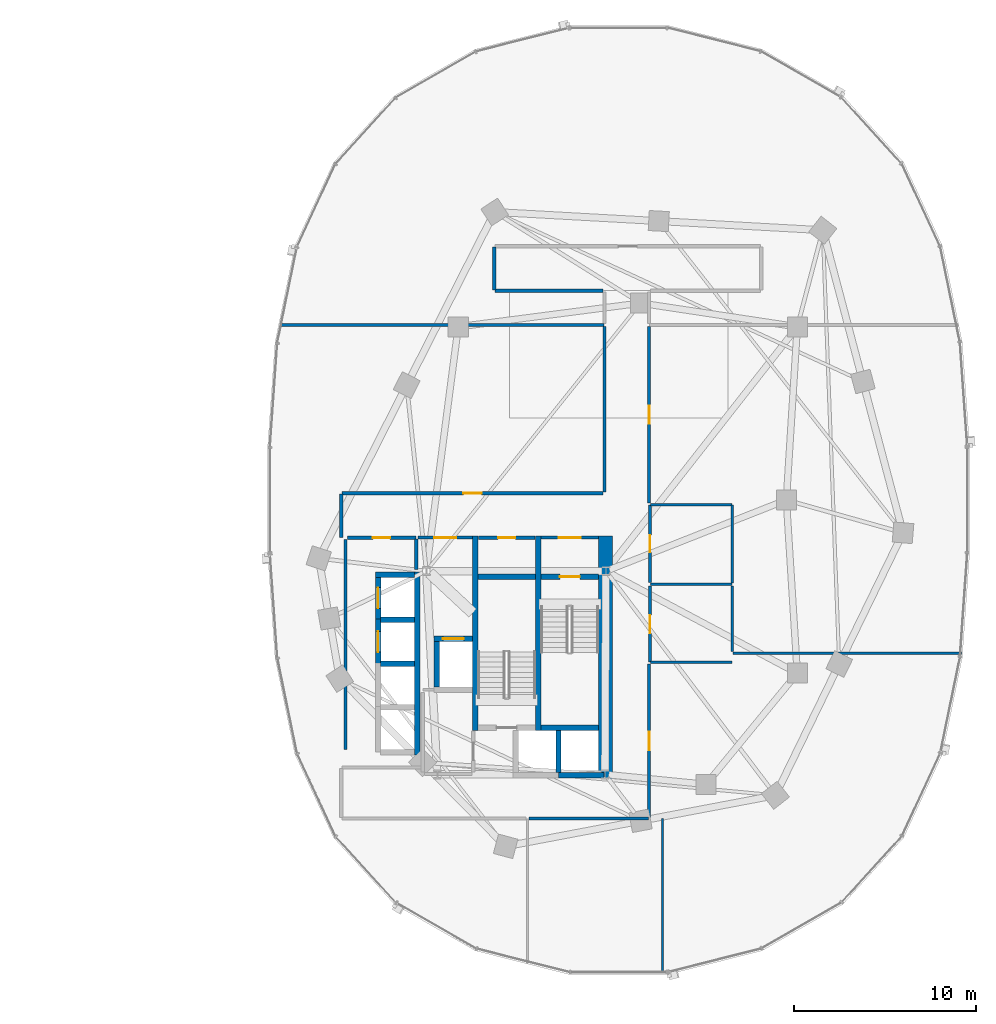
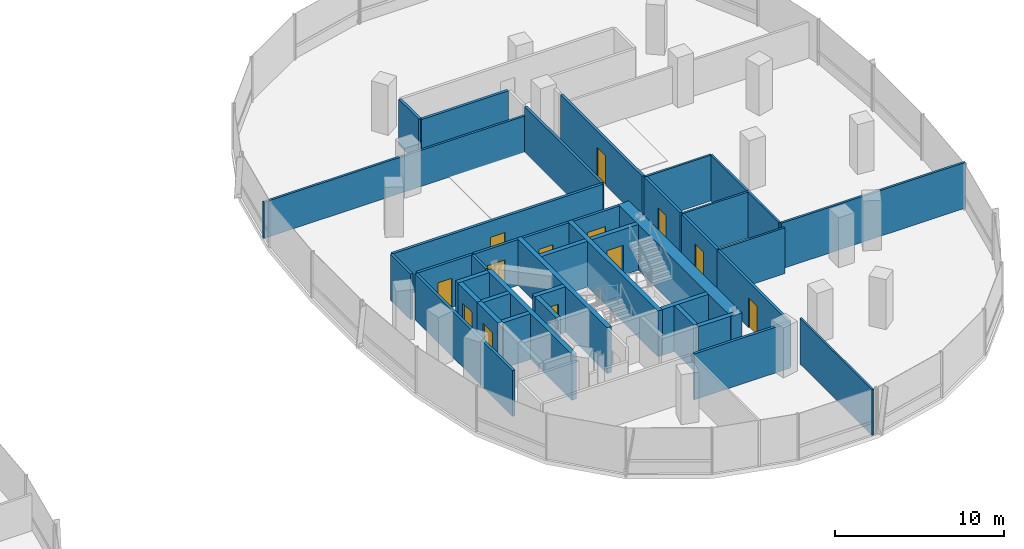
# One storey, part 13 of 21: 40 walls, 13 doors, 13 openings.
"""IFC4 building model written with IfcOpenShell, lengths in metres."""

from ifc_helpers import new_model, si_unit, direction, frame, frame_2d, origin, place, context, subcontext, project, spatial, rectangle, extrude, material, layer, layer_set, type_object, element, fill, save


model = new_model("IFC4")

# Units and contexts
model_context = context("Model", 3, precision=1e-05, world=origin(), true_north=direction((0.0, 1.0)))
body_context = subcontext(model_context, "Body", "Model", "MODEL_VIEW")
ifc_project = project(units=[si_unit("LENGTHUNIT", "METRE"), si_unit("AREAUNIT", "SQUARE_METRE"), si_unit("VOLUMEUNIT", "CUBIC_METRE"), si_unit("PLANEANGLEUNIT", "RADIAN"), si_unit("MASSUNIT", "GRAM", prefix="KILO"), si_unit("THERMODYNAMICTEMPERATUREUNIT", "KELVIN"), si_unit("POWERUNIT", "WATT")], contexts=[model_context])

# Site, building, storey
site_placement = place(None, origin())
site = spatial("IfcSite", under=ifc_project, at=site_placement, CompositionType="ELEMENT")
building_placement = place(site_placement, origin())
building = spatial("IfcBuilding", under=site, at=building_placement, Name="Cundina Bronze Exchange", CompositionType="ELEMENT")
storey_placement = place(building_placement, frame((0.0, 0.0, 103.39990234375)))
storey = spatial("IfcBuildingStorey", under=building, at=storey_placement, Name="L26", CompositionType="ELEMENT", Elevation=103.39990234375)

# Wall
ifc_material_1 = material(Name="Gypsum Fireboard Partition EI120")
ifc_layer_1 = layer(ifc_material_1, 0.179931640625, Name="Gypsum Fireboard Partition EI120")
ifc_layer_set_1 = layer_set([ifc_layer_1], Name="Gypsum Fireboard Partition EI120")
wall_type_1 = type_object("IfcWallType", Name="WL-COR-180", PredefinedType="PARTITIONING", material=ifc_layer_set_1)
wall_1_placement = place(storey_placement, frame((20.889892578125, -3.800048828125, 0.0), z_axis=(0.0, 0.0, 1.0), x_axis=(0.0, 1.0, 0.0)))
element("IfcWall", 1, at=wall_1_placement, inside=storey, type_object=wall_type_1, Name="L26 E Firefighting Lobby Side Wall", PredefinedType="PARTITIONING", context=body_context, shape_type="SweptSolid", body=[
    extrude(rectangle(XDim=1.650146484375, YDim=0.179931640625, at=frame_2d((0.8251953125, 0.0))), origin(), (0.0, 0.0, 1.0), 3.300048828125),
])

# Wall, opening, door
wall_2_placement = place(storey_placement, frame((20.97998046875, -2.06005859375, 0.0), z_axis=(0.0, 0.0, 1.0), x_axis=(1.0, 0.0, 0.0)))
wall_2 = element("IfcWall", 2, at=wall_2_placement, inside=storey, type_object=wall_type_1, Name="L26 E Firefighting Lobby Exit Wall", PredefinedType="PARTITIONING", context=body_context, shape_type="SweptSolid", body=[
    extrude(rectangle(XDim=3.0, YDim=0.179931640625, at=frame_2d((1.5, 0.0))), origin(), (0.0, 0.0, 1.0), 3.300048828125),
])
opening_1_placement = place(wall_2_placement, frame((0.89990234375, 0.0, 0.0)))
opening_1 = element("IfcOpeningElement", 3, at=opening_1_placement, cuts=wall_2, Name="Opening DF-01", PredefinedType="OPENING", context=body_context, shape_type="SweptSolid", body=[
    extrude(rectangle(XDim=1.199951171875, YDim=2.14990234375, at=frame_2d((0.60009765625, 1.074951171875))), frame((0.0, 0.099853515625, 0.0), z_axis=(0.0, -1.0, 0.0), x_axis=(1.0, 0.0, 0.0)), (0.0, 0.0, 1.0), 0.199951171875),
])
ifc_material_2 = material(Name="Steel ASTM A36 Painted", Category="steel")
door_type_1 = type_object("IfcDoorType", Name="DR-FFL-1200", OperationType="NOTDEFINED", PredefinedType="DOOR", material=ifc_material_2)
door_1_placement = place(opening_1_placement, origin())
door_1 = element("IfcDoor", 4, at=door_1_placement, inside=storey, type_object=door_type_1, Name="L26 E Firefighting Lobby Door", OperationType="SINGLE_SWING_LEFT", OverallHeight=2.14990234375, OverallWidth=1.199951171875, PredefinedType="DOOR", context=body_context, shape_type="SweptSolid", body=[
    extrude(rectangle(XDim=1.199951171875, YDim=2.14990234375, at=frame_2d((0.60009765625, 1.074951171875))), frame((0.0, 0.02490234375, 0.0), z_axis=(0.0, -1.0, 0.0), x_axis=(1.0, 0.0, 0.0)), (0.0, 0.0, 1.0), 0.050048828125),
])
fill(opening_1, door_1)

wall_3_placement = place(storey_placement, frame((27.739990234375, -2.06005859375, 0.0), z_axis=(0.0, 0.0, 1.0), x_axis=(1.0, 0.0, 0.0)))
wall_3 = element("IfcWall", 5, at=wall_3_placement, inside=storey, type_object=wall_type_1, Name="L26 E Stair Vestibule Exit Wall", PredefinedType="PARTITIONING", context=body_context, shape_type="SweptSolid", body=[
    extrude(rectangle(XDim=3.159912109375, YDim=0.179931640625, at=frame_2d((1.580078125, 0.0))), origin(), (0.0, 0.0, 1.0), 3.300048828125),
])
opening_2_placement = place(wall_3_placement, frame((0.97998046875, 0.0, 0.0)))
opening_2 = element("IfcOpeningElement", 6, at=opening_2_placement, cuts=wall_3, Name="Opening DF-01", PredefinedType="OPENING", context=body_context, shape_type="SweptSolid", body=[
    extrude(rectangle(XDim=1.199951171875, YDim=2.14990234375, at=frame_2d((0.60009765625, 1.074951171875))), frame((0.0, 0.099853515625, 0.0), z_axis=(0.0, -1.0, 0.0), x_axis=(1.0, 0.0, 0.0)), (0.0, 0.0, 1.0), 0.199951171875),
])
door_2_placement = place(opening_2_placement, origin())
door_2 = element("IfcDoor", 7, at=door_2_placement, inside=storey, type_object=door_type_1, Name="L26 E Stair Vestibule Door", OperationType="SINGLE_SWING_RIGHT", OverallHeight=2.14990234375, OverallWidth=1.199951171875, PredefinedType="DOOR", context=body_context, shape_type="SweptSolid", body=[
    extrude(rectangle(XDim=1.199951171875, YDim=2.14990234375, at=frame_2d((0.60009765625, 1.074951171875))), frame((0.0, 0.02490234375, 0.0), z_axis=(0.0, -1.0, 0.0), x_axis=(1.0, 0.0, 0.0)), (0.0, 0.0, 1.0), 0.050048828125),
])
fill(opening_2, door_2)

# Wall
wall_4_placement = place(storey_placement, frame((17.02001953125, -13.679931640625, 0.0), z_axis=(0.0, 0.0, 1.0), x_axis=(0.0, 1.0, 0.0)))
element("IfcWall", 8, at=wall_4_placement, inside=storey, type_object=wall_type_1, Name="L26 Interior Partition 037", PredefinedType="PARTITIONING", context=body_context, shape_type="SweptSolid", body=[
    extrude(rectangle(XDim=11.510009765625, YDim=0.179931640625, at=frame_2d((5.7548828125, 0.0))), origin(), (0.0, 0.0, 1.0), 3.300048828125),
])

# Wall, opening, door
wall_5_placement = place(storey_placement, frame((17.1201171875, -2.070068359375, 0.0), z_axis=(0.0, 0.0, 1.0), x_axis=(1.0, 0.0, 0.0)))
wall_5 = element("IfcWall", 9, at=wall_5_placement, inside=storey, type_object=wall_type_1, Name="L26 Interior Partition 038", PredefinedType="PARTITIONING", context=body_context, shape_type="SweptSolid", body=[
    extrude(rectangle(XDim=3.75, YDim=0.179931640625, at=frame_2d((1.875, 0.0))), origin(), (0.0, 0.0, 1.0), 3.300048828125),
])
opening_3_placement = place(wall_5_placement, frame((1.39990234375, 0.0, 0.0)))
opening_3 = element("IfcOpeningElement", 10, at=opening_3_placement, cuts=wall_5, Name="Opening DW-01", PredefinedType="OPENING", context=body_context, shape_type="SweptSolid", body=[
    extrude(rectangle(XDim=0.949951171875, YDim=2.10009765625, at=frame_2d((0.47509765625, 1.050048828125))), frame((0.0, 0.099853515625, 0.0), z_axis=(0.0, -1.0, 0.0), x_axis=(1.0, 0.0, 0.0)), (0.0, 0.0, 1.0), 0.199951171875),
])
ifc_material_3 = material(Name="Solid Andean Oak Timber Grade A", Category="wood")
door_type_2 = type_object("IfcDoorType", Name="DR-WC-950", OperationType="NOTDEFINED", PredefinedType="DOOR", material=ifc_material_3)
door_3_placement = place(opening_3_placement, origin())
door_3 = element("IfcDoor", 11, at=door_3_placement, inside=storey, type_object=door_type_2, Name="L26 Interior Door 038", OperationType="SINGLE_SWING_RIGHT", OverallHeight=2.10009765625, OverallWidth=0.949951171875, PredefinedType="DOOR", context=body_context, shape_type="SweptSolid", body=[
    extrude(rectangle(XDim=0.949951171875, YDim=2.10009765625, at=frame_2d((0.47509765625, 1.050048828125))), frame((0.0, 0.02490234375, 0.0), z_axis=(0.0, -1.0, 0.0), x_axis=(1.0, 0.0, 0.0)), (0.0, 0.0, 1.0), 0.050048828125),
])
fill(opening_3, door_3)

wall_6_placement = place(storey_placement, frame((24.300048828125, -2.070068359375, 0.0), z_axis=(0.0, 0.0, 1.0), x_axis=(1.0, 0.0, 0.0)))
wall_6 = element("IfcWall", 12, at=wall_6_placement, inside=storey, type_object=wall_type_1, Name="L26 Interior Partition 042", PredefinedType="PARTITIONING", context=body_context, shape_type="SweptSolid", body=[
    extrude(rectangle(XDim=3.119873046875, YDim=0.179931640625, at=frame_2d((1.56005859375, 0.0))), origin(), (0.0, 0.0, 1.0), 3.300048828125),
])
opening_4_placement = place(wall_6_placement, frame((1.0849609375, 0.0, 0.0)))
opening_4 = element("IfcOpeningElement", 13, at=opening_4_placement, cuts=wall_6, Name="Opening DW-01", PredefinedType="OPENING", context=body_context, shape_type="SweptSolid", body=[
    extrude(rectangle(XDim=0.949951171875, YDim=2.10009765625, at=frame_2d((0.47509765625, 1.050048828125))), frame((0.0, 0.099853515625, 0.0), z_axis=(0.0, -1.0, 0.0), x_axis=(1.0, 0.0, 0.0)), (0.0, 0.0, 1.0), 0.199951171875),
])
door_4_placement = place(opening_4_placement, origin())
door_4 = element("IfcDoor", 14, at=door_4_placement, inside=storey, type_object=door_type_2, Name="L26 Interior Door 042", OperationType="SINGLE_SWING_LEFT", OverallHeight=2.10009765625, OverallWidth=0.949951171875, PredefinedType="DOOR", context=body_context, shape_type="SweptSolid", body=[
    extrude(rectangle(XDim=0.949951171875, YDim=2.10009765625, at=frame_2d((0.47509765625, 1.050048828125))), frame((0.0, 0.02490234375, 0.0), z_axis=(0.0, -1.0, 0.0), x_axis=(1.0, 0.0, 0.0)), (0.0, 0.0, 1.0), 0.050048828125),
])
fill(opening_4, door_4)

wall_7_placement = place(storey_placement, frame((33.719970703125, -4.530029296875, 0.0), z_axis=(0.0, 0.0, 1.0), x_axis=(0.0, 1.0, 0.0)))
wall_7 = element("IfcWall", 15, at=wall_7_placement, inside=storey, type_object=wall_type_1, Name="L26 Interior Partition 049", PredefinedType="PARTITIONING", context=body_context, shape_type="SweptSolid", body=[
    extrude(rectangle(XDim=4.260009765625, YDim=0.179931640625, at=frame_2d((2.1298828125, 0.0))), origin(), (0.0, 0.0, 1.0), 3.300048828125),
])
opening_5_placement = place(wall_7_placement, frame((1.655029296875, 0.0, 0.0)))
opening_5 = element("IfcOpeningElement", 16, at=opening_5_placement, cuts=wall_7, Name="Opening DW-01", PredefinedType="OPENING", context=body_context, shape_type="SweptSolid", body=[
    extrude(rectangle(XDim=0.949951171875, YDim=2.10009765625, at=frame_2d((0.47509765625, 1.050048828125))), frame((0.0, 0.099853515625, 0.0), z_axis=(0.0, -1.0, 0.0), x_axis=(1.0, 0.0, 0.0)), (0.0, 0.0, 1.0), 0.199951171875),
])
door_5_placement = place(opening_5_placement, origin())
door_5 = element("IfcDoor", 17, at=door_5_placement, inside=storey, type_object=door_type_2, Name="L26 Interior Door 049", OperationType="SINGLE_SWING_RIGHT", OverallHeight=2.10009765625, OverallWidth=0.949951171875, PredefinedType="DOOR", context=body_context, shape_type="SweptSolid", body=[
    extrude(rectangle(XDim=0.949951171875, YDim=2.10009765625, at=frame_2d((0.47509765625, 1.050048828125))), frame((0.0, 0.02490234375, 0.0), z_axis=(0.0, -1.0, 0.0), x_axis=(1.0, 0.0, 0.0)), (0.0, 0.0, 1.0), 0.050048828125),
])
fill(opening_5, door_5)

wall_8_placement = place(storey_placement, frame((33.719970703125, -8.889892578125, 0.0), z_axis=(0.0, 0.0, 1.0), x_axis=(0.0, 1.0, 0.0)))
wall_8 = element("IfcWall", 18, at=wall_8_placement, inside=storey, type_object=wall_type_1, Name="L26 Interior Partition 050", PredefinedType="PARTITIONING", context=body_context, shape_type="SweptSolid", body=[
    extrude(rectangle(XDim=4.159912109375, YDim=0.179931640625, at=frame_2d((2.080078125, 0.0))), origin(), (0.0, 0.0, 1.0), 3.300048828125),
])
opening_6_placement = place(wall_8_placement, frame((1.580078125, 0.0, 0.0)))
opening_6 = element("IfcOpeningElement", 19, at=opening_6_placement, cuts=wall_8, Name="Opening DO-01", PredefinedType="OPENING", context=body_context, shape_type="SweptSolid", body=[
    extrude(rectangle(XDim=1.0, YDim=2.14990234375, at=frame_2d((0.5, 1.074951171875))), frame((0.0, 0.099853515625, 0.0), z_axis=(0.0, -1.0, 0.0), x_axis=(1.0, 0.0, 0.0)), (0.0, 0.0, 1.0), 0.199951171875),
])
door_type_3 = type_object("IfcDoorType", Name="DR-OFF-1000", OperationType="NOTDEFINED", PredefinedType="DOOR", material=ifc_material_3)
door_6_placement = place(opening_6_placement, origin())
door_6 = element("IfcDoor", 20, at=door_6_placement, inside=storey, type_object=door_type_3, Name="L26 Interior Door 050", OperationType="SINGLE_SWING_RIGHT", OverallHeight=2.14990234375, OverallWidth=1.0, PredefinedType="DOOR", context=body_context, shape_type="SweptSolid", body=[
    extrude(rectangle(XDim=1.0, YDim=2.14990234375, at=frame_2d((0.5, 1.074951171875))), frame((0.0, 0.02490234375, 0.0), z_axis=(0.0, -1.0, 0.0), x_axis=(1.0, 0.0, 0.0)), (0.0, 0.0, 1.0), 0.050048828125),
])
fill(opening_6, door_6)

wall_9_placement = place(storey_placement, frame((33.669921875, -17.428466796875, 0.0), z_axis=(0.0, 0.0, 1.0), x_axis=(0.0, 1.0, 0.0)))
wall_9 = element("IfcWall", 21, at=wall_9_placement, inside=storey, type_object=wall_type_1, Name="L26 Interior Partition 056", PredefinedType="PARTITIONING", context=body_context, shape_type="SweptSolid", body=[
    extrude(rectangle(XDim=8.427001953125, YDim=0.179931640625, at=frame_2d((4.21337890625, 0.0))), origin(), (0.0, 0.0, 1.0), 3.300048828125),
])
opening_7_placement = place(wall_9_placement, frame((3.71337890625, 0.0, 0.0)))
opening_7 = element("IfcOpeningElement", 22, at=opening_7_placement, cuts=wall_9, Name="Opening DO-01", PredefinedType="OPENING", context=body_context, shape_type="SweptSolid", body=[
    extrude(rectangle(XDim=1.0, YDim=2.14990234375, at=frame_2d((0.5, 1.074951171875))), frame((0.0, 0.099853515625, 0.0), z_axis=(0.0, -1.0, 0.0), x_axis=(1.0, 0.0, 0.0)), (0.0, 0.0, 1.0), 0.199951171875),
])
door_7_placement = place(opening_7_placement, origin())
door_7 = element("IfcDoor", 23, at=door_7_placement, inside=storey, type_object=door_type_3, Name="L26 Interior Door 056", OperationType="SINGLE_SWING_RIGHT", OverallHeight=2.14990234375, OverallWidth=1.0, PredefinedType="DOOR", context=body_context, shape_type="SweptSolid", body=[
    extrude(rectangle(XDim=1.0, YDim=2.14990234375, at=frame_2d((0.5, 1.074951171875))), frame((0.0, 0.02490234375, 0.0), z_axis=(0.0, -1.0, 0.0), x_axis=(1.0, 0.0, 0.0)), (0.0, 0.0, 1.0), 0.050048828125),
])
fill(opening_7, door_7)

# Wall
wall_10_placement = place(storey_placement, frame((27.090087890625, -17.469970703125, 0.0), z_axis=(0.0, 0.0, 1.0), x_axis=(1.0, 0.0, 0.0)))
element("IfcWall", 24, at=wall_10_placement, inside=storey, type_object=wall_type_1, Name="L26 Interior Partition 057", PredefinedType="PARTITIONING", context=body_context, shape_type="SweptSolid", body=[
    extrude(rectangle(XDim=6.538330078125, YDim=0.179931640625, at=frame_2d((3.26904296875, 0.0))), origin(), (0.0, 0.0, 1.0), 3.300048828125),
])

# Wall, opening, door
wall_11_placement = place(storey_placement, frame((31.14990234375, 0.3701171875, 0.0), z_axis=(0.0, 0.0, 1.0), x_axis=(-1.0, 0.0, 0.0)))
wall_11 = element("IfcWall", 25, at=wall_11_placement, inside=storey, type_object=wall_type_1, Name="L26 Interior Partition 058", PredefinedType="PARTITIONING", context=body_context, shape_type="SweptSolid", body=[
    extrude(rectangle(XDim=14.328369140625, YDim=0.179931640625, at=frame_2d((7.1640625, 0.0))), origin(), (0.0, 0.0, 1.0), 3.300048828125),
])
opening_8_placement = place(wall_11_placement, frame((6.664306640625, 0.0, 0.0)))
opening_8 = element("IfcOpeningElement", 26, at=opening_8_placement, cuts=wall_11, Name="Opening DO-01", PredefinedType="OPENING", context=body_context, shape_type="SweptSolid", body=[
    extrude(rectangle(XDim=1.0, YDim=2.14990234375, at=frame_2d((0.5, 1.074951171875))), frame((0.0, 0.099853515625, 0.0), z_axis=(0.0, -1.0, 0.0), x_axis=(1.0, 0.0, 0.0)), (0.0, 0.0, 1.0), 0.199951171875),
])
door_8_placement = place(opening_8_placement, origin())
door_8 = element("IfcDoor", 27, at=door_8_placement, inside=storey, type_object=door_type_3, Name="L26 Interior Door 058", OperationType="SINGLE_SWING_RIGHT", OverallHeight=2.14990234375, OverallWidth=1.0, PredefinedType="DOOR", context=body_context, shape_type="SweptSolid", body=[
    extrude(rectangle(XDim=1.0, YDim=2.14990234375, at=frame_2d((0.5, 1.074951171875))), frame((0.0, 0.02490234375, 0.0), z_axis=(0.0, -1.0, 0.0), x_axis=(1.0, 0.0, 0.0)), (0.0, 0.0, 1.0), 0.050048828125),
])
fill(opening_8, door_8)

# Walls
wall_12_placement = place(storey_placement, frame((31.22998046875, 9.510009765625, 0.0), z_axis=(0.0, 0.0, 1.0), x_axis=(0.0, -1.0, 0.0)))
element("IfcWall", 28, at=wall_12_placement, inside=storey, type_object=wall_type_1, Name="L26 Interior Partition 060", PredefinedType="PARTITIONING", context=body_context, shape_type="SweptSolid", body=[
    extrude(rectangle(XDim=9.06005859375, YDim=0.179931640625, at=frame_2d((4.530029296875, 0.0))), origin(), (0.0, 0.0, 1.0), 3.300048828125),
])
wall_13_placement = place(storey_placement, frame((16.780029296875, 0.32861328125, 0.0), z_axis=(0.0, 0.0, 1.0), x_axis=(0.0, -1.0, 0.0)))
element("IfcWall", 29, at=wall_13_placement, inside=storey, type_object=wall_type_1, Name="L26 Interior Partition 063", PredefinedType="PARTITIONING", context=body_context, shape_type="SweptSolid", body=[
    extrude(rectangle(XDim=2.38720703125, YDim=0.179931640625, at=frame_2d((1.193603515625, 0.0))), origin(), (0.0, 0.0, 1.0), 3.300048828125),
])

# Wall, opening, door
wall_14_placement = place(storey_placement, frame((33.669921875, -0.15869140625, 0.0), z_axis=(0.0, 0.0, 1.0), x_axis=(0.0, 1.0, 0.0)))
wall_14 = element("IfcWall", 30, at=wall_14_placement, inside=storey, type_object=wall_type_1, Name="L26 Interior Partition 064", PredefinedType="PARTITIONING", context=body_context, shape_type="SweptSolid", body=[
    extrude(rectangle(XDim=9.668701171875, YDim=0.179931640625, at=frame_2d((4.83447265625, 0.0))), origin(), (0.0, 0.0, 1.0), 3.300048828125),
])
opening_9_placement = place(wall_14_placement, frame((4.334228515625, 0.0, 0.0)))
opening_9 = element("IfcOpeningElement", 31, at=opening_9_placement, cuts=wall_14, Name="Opening DO-01", PredefinedType="OPENING", context=body_context, shape_type="SweptSolid", body=[
    extrude(rectangle(XDim=1.0, YDim=2.14990234375, at=frame_2d((0.5, 1.074951171875))), frame((0.0, 0.099853515625, 0.0), z_axis=(0.0, -1.0, 0.0), x_axis=(1.0, 0.0, 0.0)), (0.0, 0.0, 1.0), 0.199951171875),
])
door_9_placement = place(opening_9_placement, origin())
door_9 = element("IfcDoor", 32, at=door_9_placement, inside=storey, type_object=door_type_3, Name="L26 Interior Door 064", OperationType="SINGLE_SWING_LEFT", OverallHeight=2.14990234375, OverallWidth=1.0, PredefinedType="DOOR", context=body_context, shape_type="SweptSolid", body=[
    extrude(rectangle(XDim=1.0, YDim=2.14990234375, at=frame_2d((0.5, 1.074951171875))), frame((0.0, 0.02490234375, 0.0), z_axis=(0.0, -1.0, 0.0), x_axis=(1.0, 0.0, 0.0)), (0.0, 0.0, 1.0), 0.050048828125),
])
fill(opening_9, door_9)

# Walls
wall_15_placement = place(storey_placement, frame((25.221435546875, 11.47998046875, 0.0), z_axis=(0.0, 0.0, 1.0), x_axis=(1.0, 0.0, 0.0)))
element("IfcWall", 33, at=wall_15_placement, inside=storey, type_object=wall_type_1, Name="L26 Interior Partition 067", PredefinedType="PARTITIONING", context=body_context, shape_type="SweptSolid", body=[
    extrude(rectangle(XDim=5.928466796875, YDim=0.179931640625, at=frame_2d((2.96435546875, 0.0))), origin(), (0.0, 0.0, 1.0), 3.300048828125),
])
wall_16_placement = place(storey_placement, frame((25.179931640625, 13.87841796875, 0.0), z_axis=(0.0, 0.0, 1.0), x_axis=(0.0, -1.0, 0.0)))
element("IfcWall", 34, at=wall_16_placement, inside=storey, type_object=wall_type_1, Name="L26 Interior Partition 069", PredefinedType="PARTITIONING", context=body_context, shape_type="SweptSolid", body=[
    extrude(rectangle(XDim=2.35693359375, YDim=0.179931640625, at=frame_2d((1.178466796875, 0.0))), origin(), (0.0, 0.0, 1.0), 3.300048828125),
])
ifc_material_4 = material(Name="Concrete C60/75", Category="concrete")
ifc_layer_2 = layer(ifc_material_4, 0.75, Name="Concrete C60/75", Category="concrete")
ifc_layer_set_2 = layer_set([ifc_layer_2], Name="Concrete C60/75")
wall_type_2 = type_object("IfcWallType", Name="WL-CORE-750", PredefinedType="SHEAR", material=ifc_layer_set_2)
wall_17_placement = place(storey_placement, frame((31.27490234375, -15.300048828125, 0.0), z_axis=(0.0, 0.0, 1.0), x_axis=(0.0, 1.0, 0.0)))
element("IfcWall", 35, at=wall_17_placement, inside=storey, type_object=wall_type_2, Name="L26 E Primary Core Shear Spine Wall", PredefinedType="SHEAR", context=body_context, shape_type="SweptSolid", body=[
    extrude(rectangle(XDim=13.330078125, YDim=0.75, at=frame_2d((6.6650390625, 0.0))), origin(), (0.0, 0.0, 1.0), 3.300048828125),
])
ifc_material_5 = material(Name="Gypsum Acoustic Partition EI60")
ifc_layer_3 = layer(ifc_material_5, 0.125, Name="Gypsum Acoustic Partition EI60")
ifc_layer_set_3 = layer_set([ifc_layer_3], Name="Gypsum Acoustic Partition EI60")
wall_type_3 = type_object("IfcWallType", Name="WL-OFF-125", PredefinedType="PARTITIONING", material=ifc_layer_set_3)
wall_18_placement = place(storey_placement, frame((34.39990234375, -25.985107421875, 0.0), z_axis=(0.0, 0.0, 1.0), x_axis=(0.0, 1.0, 0.0)))
element("IfcWall", 36, at=wall_18_placement, inside=storey, type_object=wall_type_3, Name="L26 Interior Partition 055", PredefinedType="PARTITIONING", context=body_context, shape_type="SweptSolid", body=[
    extrude(rectangle(XDim=8.51513671875, YDim=0.125, at=frame_2d((4.257568359375, 0.0))), origin(), (0.0, 0.0, 1.0), 3.300048828125),
])
ifc_material_6 = material(Name="Concrete C50/60", Category="concrete")
ifc_layer_4 = layer(ifc_material_6, 0.300048828125, Name="Concrete C50/60", Category="concrete")
ifc_layer_set_4 = layer_set([ifc_layer_4], Name="Concrete C50/60")
wall_type_4 = type_object("IfcWallType", Name="WL-SHFT-300", PredefinedType="SHEAR", material=ifc_layer_set_4)
for number, where, z_axis, x_axis, name in (
    (37, (27.590087890625, -12.64990234375, 0.0), (0.0, 0.0, 1.0), (0.0, 1.0, 0.0), "L26 E Stair Shaft Dividing Shear Wall"),
    (38, (24.1298828125, -12.64990234375, 0.0), (0.0, 0.0, 1.0), (0.0, 1.0, 0.0), "L26 E Stair 2 East Shear Wall"),
):
    element("IfcWall", number, at=place(storey_placement, frame(where, z_axis=z_axis, x_axis=x_axis)), inside=storey, type_object=wall_type_4, Name=name, PredefinedType="SHEAR", context=body_context, shape_type="SweptSolid", body=[
        extrude(rectangle(XDim=10.679931640625, YDim=0.300048828125, at=frame_2d((5.33984375, 0.0))), origin(), (0.0, 0.0, 1.0), 3.300048828125),
    ])

# Wall, opening, door
wall_19_placement = place(storey_placement, frame((27.739990234375, -4.199951171875, 0.0), z_axis=(0.0, 0.0, 1.0), x_axis=(1.0, 0.0, 0.0)))
wall_19 = element("IfcWall", 39, at=wall_19_placement, inside=storey, type_object=wall_type_4, Name="L26 Stair E1 Landing Wall", PredefinedType="SHEAR", context=body_context, shape_type="SweptSolid", body=[
    extrude(rectangle(XDim=3.159912109375, YDim=0.300048828125, at=frame_2d((1.580078125, 0.0))), origin(), (0.0, 0.0, 1.0), 3.300048828125),
])
opening_10_placement = place(wall_19_placement, frame((1.030029296875, 0.0, 0.0)))
opening_10 = element("IfcOpeningElement", 40, at=opening_10_placement, cuts=wall_19, Name="Opening DS-01", PredefinedType="OPENING", context=body_context, shape_type="SweptSolid", body=[
    extrude(rectangle(XDim=1.10009765625, YDim=2.14990234375, at=frame_2d((0.550048828125, 1.074951171875))), frame((0.0, 0.159912109375, 0.0), z_axis=(0.0, -1.0, 0.0), x_axis=(1.0, 0.0, 0.0)), (0.0, 0.0, 1.0), 0.320068359375),
])
door_type_4 = type_object("IfcDoorType", Name="DR-STR-1100", OperationType="NOTDEFINED", PredefinedType="DOOR", material=ifc_material_2)
door_10_placement = place(opening_10_placement, origin())
door_10 = element("IfcDoor", 41, at=door_10_placement, inside=storey, type_object=door_type_4, Name="L26 Smokeproof Stair E1 Door", OperationType="SINGLE_SWING_LEFT", OverallHeight=2.14990234375, OverallWidth=1.10009765625, PredefinedType="DOOR", context=body_context, shape_type="SweptSolid", body=[
    extrude(rectangle(XDim=1.10009765625, YDim=2.14990234375, at=frame_2d((0.550048828125, 1.074951171875))), frame((0.0, 0.02490234375, 0.0), z_axis=(0.0, -1.0, 0.0), x_axis=(1.0, 0.0, 0.0)), (0.0, 0.0, 1.0), 0.050048828125),
])
fill(opening_10, door_10)

# Walls
for number, where, z_axis, x_axis, name in (
    (42, (27.739990234375, -12.5, 0.0), (0.0, 0.0, 1.0), (1.0, 0.0, 0.0), "L26 Stair E1 Far Shaft Wall"),
    (43, (24.280029296875, -4.199951171875, 0.0), (0.0, 0.0, 1.0), (1.0, 0.0, 0.0), "L26 Stair E2 Far Shaft Wall"),
):
    element("IfcWall", number, at=place(storey_placement, frame(where, z_axis=z_axis, x_axis=x_axis)), inside=storey, type_object=wall_type_4, Name=name, PredefinedType="SHEAR", context=body_context, shape_type="SweptSolid", body=[
        extrude(rectangle(XDim=3.159912109375, YDim=0.300048828125, at=frame_2d((1.580078125, 0.0))), origin(), (0.0, 0.0, 1.0), 3.300048828125),
    ])

# Wall, opening, door
wall_20_placement = place(storey_placement, frame((21.8798828125, -7.60009765625, 0.0), z_axis=(0.0, 0.0, 1.0), x_axis=(1.0, 0.0, 0.0)))
wall_20 = element("IfcWall", 44, at=wall_20_placement, inside=storey, type_object=wall_type_4, Name="L26 FFL-E Hoistway Front Wall", PredefinedType="SHEAR", context=body_context, shape_type="SweptSolid", body=[
    extrude(rectangle(XDim=2.10009765625, YDim=0.300048828125, at=frame_2d((1.050048828125, 0.0))), origin(), (0.0, 0.0, 1.0), 3.300048828125),
])
opening_11_placement = place(wall_20_placement, frame((0.47509765625, 0.0, 0.0)))
opening_11 = element("IfcOpeningElement", 45, at=opening_11_placement, cuts=wall_20, Name="Opening LD-01", PredefinedType="OPENING", context=body_context, shape_type="SweptSolid", body=[
    extrude(rectangle(XDim=1.14990234375, YDim=2.199951171875, at=frame_2d((0.574951171875, 1.10009765625))), frame((0.0, 0.159912109375, 0.0), z_axis=(0.0, -1.0, 0.0), x_axis=(1.0, 0.0, 0.0)), (0.0, 0.0, 1.0), 0.320068359375),
])
door_type_5 = type_object("IfcDoorType", Name="DR-LND-1150", OperationType="NOTDEFINED", PredefinedType="TRAPDOOR", material=ifc_material_2)
door_11_placement = place(opening_11_placement, origin())
door_11 = element("IfcDoor", 46, at=door_11_placement, inside=storey, type_object=door_type_5, Name="L26 FFL-E Sliding Landing Door", OperationType="SLIDING_TO_LEFT", OverallHeight=2.199951171875, OverallWidth=1.14990234375, PredefinedType="TRAPDOOR", context=body_context, shape_type="SweptSolid", body=[
    extrude(rectangle(XDim=1.14990234375, YDim=2.199951171875, at=frame_2d((0.574951171875, 1.10009765625))), frame((0.0, 0.02490234375, 0.0), z_axis=(0.0, -1.0, 0.0), x_axis=(1.0, 0.0, 0.0)), (0.0, 0.0, 1.0), 0.050048828125),
])
fill(opening_11, door_11)

# Walls
for number, where, z_axis, x_axis, name in (
    (47, (22.030029296875, -10.25, 0.0), (0.0, 0.0, 1.0), (0.0, 1.0, 0.0), "L26 FFL-E Hoistway Side Wall"),
    (48, (28.699951171875, -15.10009765625, 0.0), (0.0, 0.0, 1.0), (1.0, 0.0, 0.0), "L26 PH-E1 Hoistway Front Wall"),
):
    element("IfcWall", number, at=place(storey_placement, frame(where, z_axis=z_axis, x_axis=x_axis)), inside=storey, type_object=wall_type_4, Name=name, PredefinedType="SHEAR", context=body_context, shape_type="SweptSolid", body=[
        extrude(rectangle(XDim=2.5, YDim=0.300048828125, at=frame_2d((1.25, 0.0))), origin(), (0.0, 0.0, 1.0), 3.300048828125),
    ])
wall_21_placement = place(storey_placement, frame((28.699951171875, -14.949951171875, 0.0), z_axis=(0.0, 0.0, 1.0), x_axis=(0.0, 1.0, 0.0)))
element("IfcWall", 49, at=wall_21_placement, inside=storey, type_object=wall_type_4, Name="L26 PH-E1 Hoistway Divider Wall", PredefinedType="SHEAR", context=body_context, shape_type="SweptSolid", body=[
    extrude(rectangle(XDim=2.300048828125, YDim=0.300048828125, at=frame_2d((1.14990234375, 0.0))), origin(), (0.0, 0.0, 1.0), 3.300048828125),
])
wall_22_placement = place(storey_placement, frame((20.949951171875, -14.0, 0.0), z_axis=(0.0, 0.0, 1.0), x_axis=(0.0, 1.0, 0.0)))
element("IfcWall", 50, at=wall_22_placement, inside=storey, type_object=wall_type_4, Name="L26 E Passenger Bank Hoistway Back Wall", PredefinedType="SHEAR", context=body_context, shape_type="SweptSolid", body=[
    extrude(rectangle(XDim=10.050048828125, YDim=0.300048828125, at=frame_2d((5.02490234375, 0.0))), origin(), (0.0, 0.0, 1.0), 3.300048828125),
])
wall_23_placement = place(storey_placement, frame((18.64990234375, -4.10009765625, 0.0), z_axis=(0.0, 0.0, 1.0), x_axis=(1.0, 0.0, 0.0)))
element("IfcWall", 51, at=wall_23_placement, inside=storey, type_object=wall_type_4, Name="L26 E Passenger Bank North Cap Wall", PredefinedType="SHEAR", context=body_context, shape_type="SweptSolid", body=[
    extrude(rectangle(XDim=2.150146484375, YDim=0.300048828125, at=frame_2d((1.0751953125, 0.0))), origin(), (0.0, 0.0, 1.0), 3.300048828125),
])
for number, where, z_axis, x_axis, name in (
    (52, (18.949951171875, -8.97509765625, 0.0), (0.0, 0.0, 1.0), (1.0, 0.0, 0.0), "L26 E Passenger Hoistway Divider 2"),
    (53, (18.949951171875, -6.574951171875, 0.0), (0.0, 0.0, 1.0), (1.0, 0.0, 0.0), "L26 E Passenger Hoistway Divider 3"),
):
    element("IfcWall", number, at=place(storey_placement, frame(where, z_axis=z_axis, x_axis=x_axis)), inside=storey, type_object=wall_type_4, Name=name, PredefinedType="SHEAR", context=body_context, shape_type="SweptSolid", body=[
        extrude(rectangle(XDim=1.85009765625, YDim=0.300048828125, at=frame_2d((0.925048828125, 0.0))), origin(), (0.0, 0.0, 1.0), 3.300048828125),
    ])

# Wall, opening, door
wall_24_placement = place(storey_placement, frame((18.800048828125, -9.02001953125, 0.0), z_axis=(0.0, 0.0, 1.0), x_axis=(0.0, 1.0, 0.0)))
wall_24 = element("IfcWall", 54, at=wall_24_placement, inside=storey, type_object=wall_type_4, Name="L26 PL-E1 Hoistway Front Wall", PredefinedType="SHEAR", context=body_context, shape_type="SweptSolid", body=[
    extrude(rectangle(XDim=2.489990234375, YDim=0.300048828125, at=frame_2d((1.2451171875, 0.0))), origin(), (0.0, 0.0, 1.0), 3.300048828125),
])
opening_12_placement = place(wall_24_placement, frame((0.669921875, 0.0, 0.0)))
opening_12 = element("IfcOpeningElement", 55, at=opening_12_placement, cuts=wall_24, Name="Opening LD-01", PredefinedType="OPENING", context=body_context, shape_type="SweptSolid", body=[
    extrude(rectangle(XDim=1.14990234375, YDim=2.199951171875, at=frame_2d((0.574951171875, 1.10009765625))), frame((0.0, 0.159912109375, 0.0), z_axis=(0.0, -1.0, 0.0), x_axis=(1.0, 0.0, 0.0)), (0.0, 0.0, 1.0), 0.320068359375),
])
door_12_placement = place(opening_12_placement, origin())
door_12 = element("IfcDoor", 56, at=door_12_placement, inside=storey, type_object=door_type_5, Name="L26 PL-E1 Sliding Landing Door", OperationType="SLIDING_TO_LEFT", OverallHeight=2.199951171875, OverallWidth=1.14990234375, PredefinedType="TRAPDOOR", context=body_context, shape_type="SweptSolid", body=[
    extrude(rectangle(XDim=1.14990234375, YDim=2.199951171875, at=frame_2d((0.574951171875, 1.10009765625))), frame((0.0, 0.02490234375, 0.0), z_axis=(0.0, -1.0, 0.0), x_axis=(1.0, 0.0, 0.0)), (0.0, 0.0, 1.0), 0.050048828125),
])
fill(opening_12, door_12)

wall_25_placement = place(storey_placement, frame((18.800048828125, -6.6201171875, 0.0), z_axis=(0.0, 0.0, 1.0), x_axis=(0.0, 1.0, 0.0)))
wall_25 = element("IfcWall", 57, at=wall_25_placement, inside=storey, type_object=wall_type_4, Name="L26 PL-E2 Hoistway Front Wall", PredefinedType="SHEAR", context=body_context, shape_type="SweptSolid", body=[
    extrude(rectangle(XDim=2.490234375, YDim=0.300048828125, at=frame_2d((1.2451171875, 0.0))), origin(), (0.0, 0.0, 1.0), 3.300048828125),
])
opening_13_placement = place(wall_25_placement, frame((0.669921875, 0.0, 0.0)))
opening_13 = element("IfcOpeningElement", 58, at=opening_13_placement, cuts=wall_25, Name="Opening LD-01", PredefinedType="OPENING", context=body_context, shape_type="SweptSolid", body=[
    extrude(rectangle(XDim=1.14990234375, YDim=2.199951171875, at=frame_2d((0.574951171875, 1.10009765625))), frame((0.0, 0.159912109375, 0.0), z_axis=(0.0, -1.0, 0.0), x_axis=(1.0, 0.0, 0.0)), (0.0, 0.0, 1.0), 0.320068359375),
])
door_13_placement = place(opening_13_placement, origin())
door_13 = element("IfcDoor", 59, at=door_13_placement, inside=storey, type_object=door_type_5, Name="L26 PL-E2 Sliding Landing Door", OperationType="SLIDING_TO_LEFT", OverallHeight=2.199951171875, OverallWidth=1.14990234375, PredefinedType="TRAPDOOR", context=body_context, shape_type="SweptSolid", body=[
    extrude(rectangle(XDim=1.14990234375, YDim=2.199951171875, at=frame_2d((0.574951171875, 1.10009765625))), frame((0.0, 0.02490234375, 0.0), z_axis=(0.0, -1.0, 0.0), x_axis=(1.0, 0.0, 0.0)), (0.0, 0.0, 1.0), 0.050048828125),
])
fill(opening_13, door_13)

# Walls
ifc_layer_5 = layer(ifc_material_5, 0.14990234375, Name="Gypsum Acoustic Partition EI60")
ifc_layer_set_5 = layer_set([ifc_layer_5], Name="Gypsum Acoustic Partition EI60")
wall_type_5 = type_object("IfcWallType", Name="WL-TEN-150", PredefinedType="PARTITIONING", material=ifc_layer_set_5)
wall_26_placement = place(storey_placement, frame((13.390380859375, 9.60009765625, 0.0), z_axis=(0.0, 0.0, 1.0), x_axis=(1.0, 0.0, 0.0)))
element("IfcWall", 60, at=wall_26_placement, inside=storey, type_object=wall_type_5, Name="L26 Interior Partition 051", PredefinedType="PARTITIONING", context=body_context, shape_type="SweptSolid", body=[
    extrude(rectangle(XDim=17.8095703125, YDim=0.14990234375, at=frame_2d((8.90478515625, 0.0))), origin(), (0.0, 0.0, 1.0), 2.60498046875),
])
wall_27_placement = place(storey_placement, frame((38.27001953125, -8.39990234375, 0.0), z_axis=(0.0, 0.0, 1.0), x_axis=(1.0, 0.0, 0.0)))
element("IfcWall", 61, at=wall_27_placement, inside=storey, type_object=wall_type_5, Name="L26 Interior Partition 053", PredefinedType="PARTITIONING", context=body_context, shape_type="SweptSolid", body=[
    extrude(rectangle(XDim=12.552734375, YDim=0.14990234375, at=frame_2d((6.2763671875, 0.0))), origin(), (0.0, 0.0, 1.0), 3.300048828125),
])
ifc_material_7 = material(Name="Moisture-Resistant Masonry Block Grade M15", Category="masonry")
ifc_layer_6 = layer(ifc_material_7, 0.139892578125, Name="Moisture-Resistant Masonry Block Grade M15", Category="masonry")
ifc_layer_set_6 = layer_set([ifc_layer_6], Name="Moisture-Resistant Masonry Block Grade M15")
wall_type_6 = type_object("IfcWallType", Name="WL-WET-140", PredefinedType="PARTITIONING", material=ifc_layer_set_6)
wall_28_placement = place(storey_placement, frame((38.239990234375, -8.31494140625, 0.0), z_axis=(0.0, 0.0, 1.0), x_axis=(0.0, 1.0, 0.0)))
element("IfcWall", 62, at=wall_28_placement, inside=storey, type_object=wall_type_6, Name="L26 Interior Partition 044", PredefinedType="PARTITIONING", context=body_context, shape_type="SweptSolid", body=[
    extrude(rectangle(XDim=3.599853515625, YDim=0.139892578125, at=frame_2d((1.7998046875, 0.0))), origin(), (0.0, 0.0, 1.0), 3.300048828125),
])
wall_29_placement = place(storey_placement, frame((38.239990234375, -4.544921875, 0.0), z_axis=(0.0, 0.0, 1.0), x_axis=(0.0, 1.0, 0.0)))
element("IfcWall", 63, at=wall_29_placement, inside=storey, type_object=wall_type_6, Name="L26 Interior Partition 045", PredefinedType="PARTITIONING", context=body_context, shape_type="SweptSolid", body=[
    extrude(rectangle(XDim=4.27490234375, YDim=0.139892578125, at=frame_2d((2.137451171875, 0.0))), origin(), (0.0, 0.0, 1.0), 3.300048828125),
])
for number, where, z_axis, x_axis, name in (
    (64, (33.739990234375, -0.25, 0.0), (0.0, 0.0, 1.0), (1.0, 0.0, 0.0), "L26 Interior Partition 046"),
    (65, (33.739990234375, -4.6298828125, 0.0), (0.0, 0.0, 1.0), (1.0, 0.0, 0.0), "L26 Interior Partition 047"),
    (66, (33.739990234375, -8.909912109375, 0.0), (0.0, 0.0, 1.0), (1.0, 0.0, 0.0), "L26 Interior Partition 048"),
):
    element("IfcWall", number, at=place(storey_placement, frame(where, z_axis=z_axis, x_axis=x_axis)), inside=storey, type_object=wall_type_6, Name=name, PredefinedType="PARTITIONING", context=body_context, shape_type="SweptSolid", body=[
        extrude(rectangle(XDim=4.47998046875, YDim=0.139892578125, at=frame_2d((2.239990234375, 0.0))), origin(), (0.0, 0.0, 1.0), 3.300048828125),
    ])

save(model, "model.ifc")
